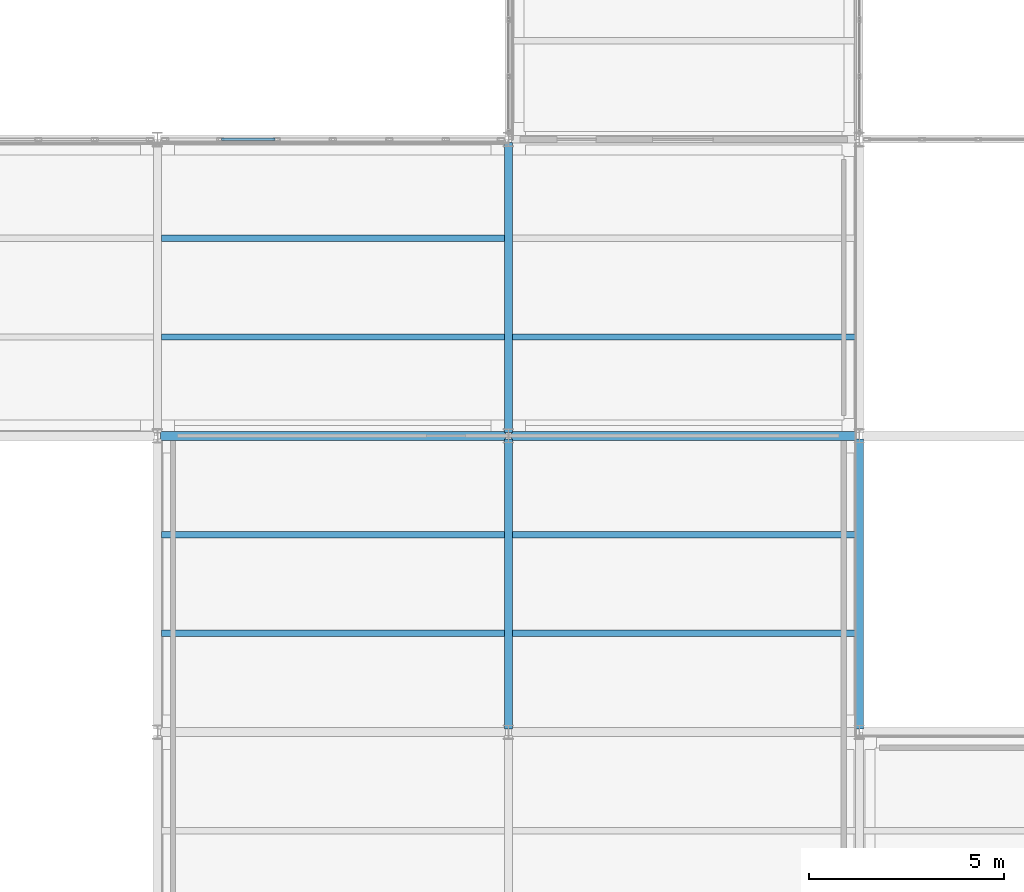
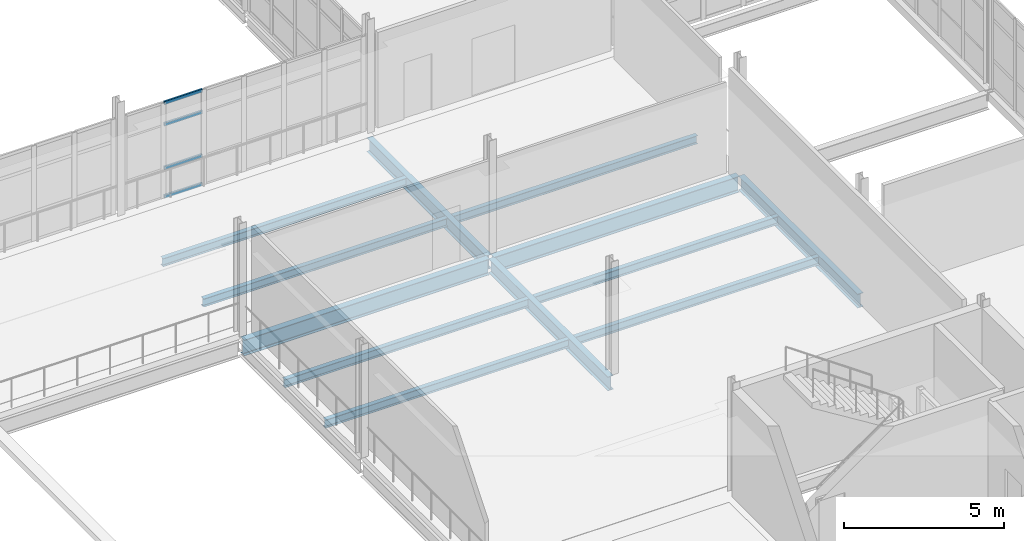
# One storey, part 49 of 174: 12 beams, 4 members, 1 element without a shape of its own.
"""IFC4 building model written with IfcOpenShell, lengths in metres."""

from ifc_helpers import new_model, si_unit, direction, frame, origin, origin_2d, place, context, subcontext, project, spatial, hollow_rectangle, i_section, extrude, material, material_profile, profile_set, type_object, element, aggregate, save


model = new_model("IFC4")

# Units and contexts
model_context = context("Model", 3, precision=1e-05, world=origin(), true_north=direction((0.0, 1.0)))
body_context = subcontext(model_context, "Body", "Model", "MODEL_VIEW")
ifc_project = project(units=[si_unit("LENGTHUNIT", "METRE"), si_unit("AREAUNIT", "SQUARE_METRE"), si_unit("VOLUMEUNIT", "CUBIC_METRE"), si_unit("PLANEANGLEUNIT", "RADIAN"), si_unit("MASSUNIT", "GRAM", prefix="KILO")], contexts=[model_context])

# Site, building, storey
site_placement = place(None, origin())
site = spatial("IfcSite", under=ifc_project, at=site_placement, CompositionType="ELEMENT")
building_placement = place(site_placement, origin())
building = spatial("IfcBuilding", under=site, at=building_placement, Name="Caisbarro Railhouse Central Library", CompositionType="ELEMENT")
storey_placement = place(building_placement, frame((0.0, 0.0, 5.0400390625)))
storey = spatial("IfcBuildingStorey", under=building, at=storey_placement, Name="L01", CompositionType="ELEMENT", Elevation=5.0400390625)

# Beams
ifc_material_1 = material(Name="Steel ASTM A572 Grade 50", Category="steel")
ifc_material_profile_1 = material_profile(ifc_material_1, i_section(OverallWidth=0.22802734375, OverallDepth=0.60791015625, WebThickness=0.01123046875, FlangeThickness=0.017333984375, FilletRadius=0.02197265625, at=origin_2d()), Name="W610X113.0")
ifc_profile_set_1 = profile_set([ifc_material_profile_1], Name="Steel ASTM A572 Grade 50")
beam_type_1 = type_object("IfcBeamType", Name="BM-G04", PredefinedType="BEAM", material=ifc_profile_set_1)
for number, where, z_axis, x_axis, name in (
    (1, (45.080078125, 53.199951171875, -0.52392578125), (1.0, 0.0, 0.0), (0.0, 1.0, 0.0), "G04 beam L01 #814"),
    (2, (54.080078125, 53.199951171875, -0.52392578125), (1.0, 0.0, 0.0), (0.0, 1.0, 0.0), "G04 beam L01 #815"),
):
    element("IfcBeam", number, at=place(storey_placement, frame(where, z_axis=z_axis, x_axis=x_axis)), inside=storey, type_object=beam_type_1, Name=name, PredefinedType="BEAM", context=body_context, shape_type="SweptSolid", body=[
        extrude(i_section(OverallWidth=0.22802734375, OverallDepth=0.60791015625, WebThickness=0.01123046875, FlangeThickness=0.017333984375, FilletRadius=0.02197265625, at=origin_2d()), origin(), (0.0, 0.0, 1.0), 8.83984375),
    ])
ifc_material_profile_2 = material_profile(ifc_material_1, i_section(OverallWidth=0.208984375, OverallDepth=0.532958984375, WebThickness=0.01025390625, FlangeThickness=0.015625, FilletRadius=0.02001953125, at=origin_2d()), Name="W530X92.0")
ifc_profile_set_2 = profile_set([ifc_material_profile_2], Name="Steel ASTM A572 Grade 50")
beam_type_2 = type_object("IfcBeamType", Name="BM-G06", PredefinedType="BEAM", material=ifc_profile_set_2)
beam_1_placement = place(storey_placement, frame((54.0, 45.679931640625, -0.486572265625), z_axis=(0.0, 1.0, 0.0), x_axis=(-1.0, 0.0, 0.0)))
element("IfcBeam", 3, at=beam_1_placement, inside=storey, type_object=beam_type_2, Name="G06 beam L01 #847", PredefinedType="BEAM", context=body_context, shape_type="SweptSolid", body=[
    extrude(i_section(OverallWidth=0.208984375, OverallDepth=0.532958984375, WebThickness=0.01025390625, FlangeThickness=0.015625, FilletRadius=0.02001953125, at=origin_2d()), origin(), (0.0, 0.0, 1.0), 7.440185546875),
])
beam_2_placement = place(storey_placement, frame((54.0, 53.280029296875, -0.486572265625), z_axis=(0.0, 1.0, 0.0), x_axis=(-1.0, 0.0, 0.0)))
element("IfcBeam", 4, at=beam_2_placement, inside=storey, type_object=beam_type_2, Name="G06 beam L01 #848", PredefinedType="BEAM", context=body_context, shape_type="SweptSolid", body=[
    extrude(i_section(OverallWidth=0.208984375, OverallDepth=0.532958984375, WebThickness=0.01025390625, FlangeThickness=0.015625, FilletRadius=0.02001953125, at=origin_2d()), origin(), (0.0, 0.0, 1.0), 7.43994140625),
])
beam_3_placement = place(storey_placement, frame((63.0, 45.679931640625, -0.486572265625), z_axis=(0.0, 1.0, 0.0), x_axis=(-1.0, 0.0, 0.0)))
element("IfcBeam", 5, at=beam_3_placement, inside=storey, type_object=beam_type_2, Name="G06 beam L01 #851", PredefinedType="BEAM", context=body_context, shape_type="SweptSolid", body=[
    extrude(i_section(OverallWidth=0.208984375, OverallDepth=0.532958984375, WebThickness=0.01025390625, FlangeThickness=0.015625, FilletRadius=0.02001953125, at=origin_2d()), origin(), (0.0, 0.0, 1.0), 7.440185546875),
])
ifc_material_profile_3 = material_profile(ifc_material_1, i_section(OverallWidth=0.1650390625, OverallDepth=0.31005859375, WebThickness=0.005859375, FlangeThickness=0.009765625, FilletRadius=0.011962890625, at=origin_2d()), Name="W310X38.7")
ifc_profile_set_3 = profile_set([ifc_material_profile_3], Name="Steel ASTM A572 Grade 50")
beam_type_3 = type_object("IfcBeamType", Name="BM-J03", PredefinedType="JOIST", material=ifc_profile_set_3)
for number, where, z_axis, x_axis, name in (
    (6, (45.1044921875, 48.13330078125, -0.375), (1.0, 0.0, 0.0), (0.0, 1.0, 0.0), "J03 beam L01 #887"),
    (7, (45.1044921875, 50.666748046875, -0.375), (1.0, 0.0, 0.0), (0.0, 1.0, 0.0), "J03 beam L01 #888"),
    (8, (45.1044921875, 55.7333984375, -0.375), (1.0, 0.0, 0.0), (0.0, 1.0, 0.0), "J03 beam L01 #889"),
    (9, (45.1044921875, 58.2666015625, -0.375), (1.0, 0.0, 0.0), (0.0, 1.0, 0.0), "J03 beam L01 #890"),
    (10, (54.1044921875, 48.13330078125, -0.375), (1.0, 0.0, 0.0), (0.0, 1.0, 0.0), "J03 beam L01 #893"),
    (11, (54.1044921875, 50.666748046875, -0.375), (1.0, 0.0, 0.0), (0.0, 1.0, 0.0), "J03 beam L01 #894"),
    (12, (54.1044921875, 55.7333984375, -0.375), (1.0, 0.0, 0.0), (0.0, 1.0, 0.0), "J03 beam L01 #895"),
):
    element("IfcBeam", number, at=place(storey_placement, frame(where, z_axis=z_axis, x_axis=x_axis)), inside=storey, type_object=beam_type_3, Name=name, PredefinedType="JOIST", context=body_context, shape_type="SweptSolid", body=[
        extrude(i_section(OverallWidth=0.1650390625, OverallDepth=0.31005859375, WebThickness=0.005859375, FlangeThickness=0.009765625, FilletRadius=0.011962890625, at=origin_2d()), origin(), (0.0, 0.0, 1.0), 8.791015625),
    ])

# Curtain wall, members
ifc_material_2 = material(Name="Anodised architectural aluminium", Category="aluminium")
curtain_wall_type = type_object("IfcCurtainWallType", Name="CW-CW02", PredefinedType="NOTDEFINED", material=ifc_material_2)
curtain_wall_placement = place(storey_placement, origin())
curtain_wall = element("IfcCurtainWall", 13, at=curtain_wall_placement, inside=storey, type_object=curtain_wall_type, Name="CW02 curtain wall L01 #15", PredefinedType="NOTDEFINED")
ifc_material_profile_4 = material_profile(ifc_material_2, hollow_rectangle(XDim=0.06494140625, YDim=0.1201171875, WallThickness=0.00341796875, at=origin_2d()), Name="ALU-TRN-65X120")
ifc_profile_set_4 = profile_set([ifc_material_profile_4], Name="Anodised architectural aluminium")
member_type = type_object("IfcMemberType", Name="CWT-T02", PredefinedType="USERDEFINED", material=ifc_profile_set_4)
member_1_placement = place(storey_placement, frame((46.644287109375, 60.800048828125, 0.032470703125), z_axis=(1.0, 0.0, 0.0), x_axis=(0.0, 1.0, 0.0)))
member_1 = element("IfcMember", 14, at=member_1_placement, type_object=member_type, Name="CW02 transom 2.1", ObjectType="TRANSOM", PredefinedType="USERDEFINED", context=body_context, shape_type="SweptSolid", body=[
    extrude(hollow_rectangle(XDim=0.06494140625, YDim=0.1201171875, WallThickness=0.00341796875, at=origin_2d()), origin(), (0.0, 0.0, 1.0), 1.37158203125),
])
member_2_placement = place(storey_placement, frame((46.644287109375, 60.800048828125, 1.119873046875), z_axis=(1.0, 0.0, 0.0), x_axis=(0.0, 1.0, 0.0)))
member_2 = element("IfcMember", 15, at=member_2_placement, type_object=member_type, Name="CW02 transom 2.2", ObjectType="TRANSOM", PredefinedType="USERDEFINED", context=body_context, shape_type="SweptSolid", body=[
    extrude(hollow_rectangle(XDim=0.06494140625, YDim=0.1201171875, WallThickness=0.00341796875, at=origin_2d()), origin(), (0.0, 0.0, 1.0), 1.37158203125),
])
member_3_placement = place(storey_placement, frame((46.644287109375, 60.800048828125, 2.780029296875), z_axis=(1.0, 0.0, 0.0), x_axis=(0.0, 1.0, 0.0)))
member_3 = element("IfcMember", 16, at=member_3_placement, type_object=member_type, Name="CW02 transom 2.3", ObjectType="TRANSOM", PredefinedType="USERDEFINED", context=body_context, shape_type="SweptSolid", body=[
    extrude(hollow_rectangle(XDim=0.06494140625, YDim=0.1201171875, WallThickness=0.00341796875, at=origin_2d()), origin(), (0.0, 0.0, 1.0), 1.37158203125),
])
member_4_placement = place(storey_placement, frame((46.644287109375, 60.800048828125, 3.597412109375), z_axis=(1.0, 0.0, 0.0), x_axis=(0.0, 1.0, 0.0)))
member_4 = element("IfcMember", 17, at=member_4_placement, type_object=member_type, Name="CW02 transom 2.4", ObjectType="TRANSOM", PredefinedType="USERDEFINED", context=body_context, shape_type="SweptSolid", body=[
    extrude(hollow_rectangle(XDim=0.06494140625, YDim=0.1201171875, WallThickness=0.00341796875, at=origin_2d()), origin(), (0.0, 0.0, 1.0), 1.37158203125),
])
aggregate(curtain_wall, [member_1, member_2, member_3, member_4])

save(model, "model.ifc")
